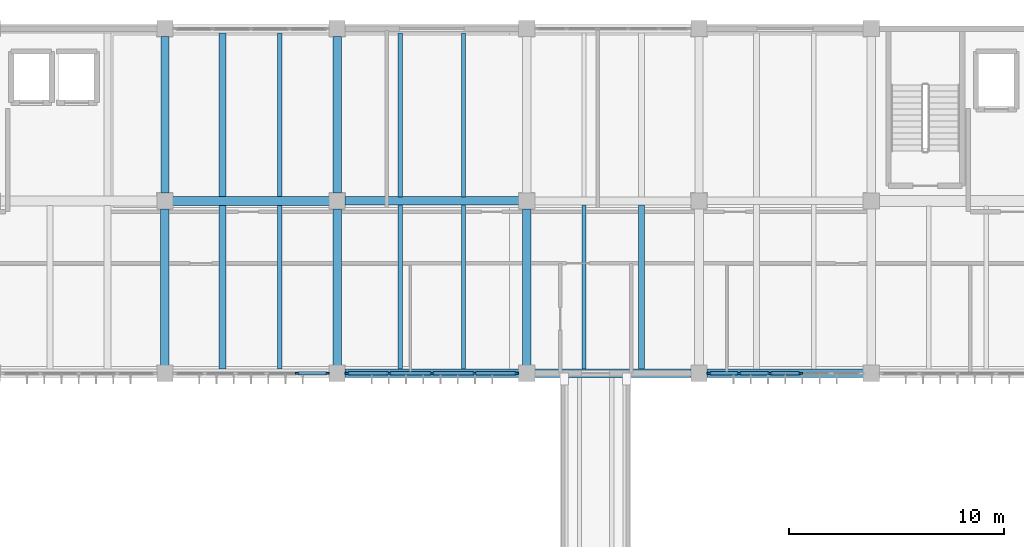
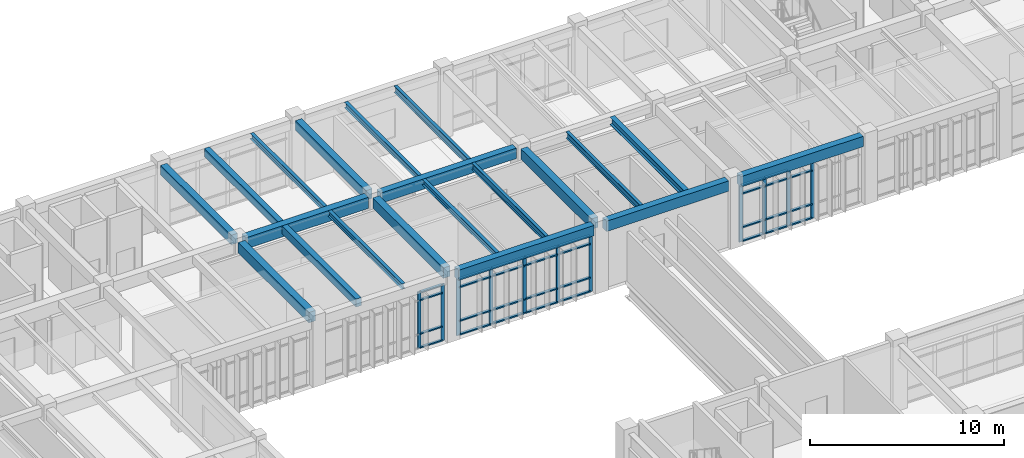
# One storey, part 22 of 79: 42 members, 20 beams, 3 elements without a shape of their own.
"""IFC4 building model written with IfcOpenShell, lengths in metres."""

from ifc_helpers import new_model, si_unit, direction, frame, origin, origin_2d, place, context, subcontext, project, spatial, rectangle, i_section, extrude, material, material_profile, profile_set, type_object, element, aggregate, save


model = new_model("IFC4")

# Units and contexts
model_context = context("Model", 3, precision=1e-05, world=origin(), true_north=direction((0.0, 1.0)))
body_context = subcontext(model_context, "Body", "Model", "MODEL_VIEW")
ifc_project = project(units=[si_unit("LENGTHUNIT", "METRE"), si_unit("AREAUNIT", "SQUARE_METRE"), si_unit("VOLUMEUNIT", "CUBIC_METRE"), si_unit("PLANEANGLEUNIT", "RADIAN"), si_unit("MASSUNIT", "GRAM", prefix="KILO")], contexts=[model_context])

# Site, building, storey
site_placement = place(None, origin())
site = spatial("IfcSite", under=ifc_project, at=site_placement, CompositionType="ELEMENT")
building_placement = place(site_placement, origin())
building = spatial("IfcBuilding", under=site, at=building_placement, Name="Tlaxcora Railside Police Headquarters", CompositionType="ELEMENT")
storey_placement = place(building_placement, frame((0.0, 0.0, 9.0)))
storey = spatial("IfcBuildingStorey", under=building, at=storey_placement, Name="L02", CompositionType="ELEMENT", Elevation=9.0)

# Curtain wall, members
ifc_material_1 = material(Name="Thermally broken low-E insulated glazing", Category="glass")
curtain_wall_type_1 = type_object("IfcCurtainWallType", Name="Unitised Curtain Wall Assembly CW-23", PredefinedType="NOTDEFINED", material=ifc_material_1)
curtain_wall_1_placement = place(storey_placement, origin())
curtain_wall_1 = element("IfcCurtainWall", 1, at=curtain_wall_1_placement, inside=storey, type_object=curtain_wall_type_1, Name="V5 L02 curtain wall 56", PredefinedType="NOTDEFINED")
ifc_material_2 = material(Name="Anodised aluminium framing", Category="aluminium")
ifc_material_profile_1 = material_profile(ifc_material_2, rectangle(XDim=0.080078125, YDim=0.219970703125, at=origin_2d()), Name="AL80X220")
ifc_profile_set_1 = profile_set([ifc_material_profile_1], Name="Anodised aluminium framing")
member_type_1 = type_object("IfcMemberType", Name="Curtain Wall Mullion CW-31", PredefinedType="MULLION", material=ifc_profile_set_1)
member_1_placement = place(storey_placement, frame((62.465087890625, 76.800048828125, 0.0), z_axis=(0.0, 0.0, 1.0), x_axis=(0.0, 1.0, 0.0)))
member_1 = element("IfcMember", 2, at=member_1_placement, type_object=member_type_1, Name="CW mullion 1", PredefinedType="MULLION", context=body_context, shape_type="SweptSolid", body=[
    extrude(rectangle(XDim=0.080078125, YDim=0.219970703125, at=origin_2d()), origin(), (0.0, 0.0, 1.0), 3.550048828125),
])
member_2_placement = place(storey_placement, frame((63.85498046875, 76.800048828125, 0.0), z_axis=(0.0, 0.0, 1.0), x_axis=(0.0, 1.0, 0.0)))
member_2 = element("IfcMember", 3, at=member_2_placement, type_object=member_type_1, Name="CW mullion 2", PredefinedType="MULLION", context=body_context, shape_type="SweptSolid", body=[
    extrude(rectangle(XDim=0.080078125, YDim=0.219970703125, at=origin_2d()), origin(), (0.0, 0.0, 1.0), 3.550048828125),
])
member_3_placement = place(storey_placement, frame((65.284912109375, 76.800048828125, 0.0), z_axis=(0.0, 0.0, 1.0), x_axis=(0.0, 1.0, 0.0)))
member_3 = element("IfcMember", 4, at=member_3_placement, type_object=member_type_1, Name="CW mullion 3", PredefinedType="MULLION", context=body_context, shape_type="SweptSolid", body=[
    extrude(rectangle(XDim=0.080078125, YDim=0.219970703125, at=origin_2d()), origin(), (0.0, 0.0, 1.0), 3.550048828125),
])
member_4_placement = place(storey_placement, frame((66.715087890625, 76.800048828125, 0.0), z_axis=(0.0, 0.0, 1.0), x_axis=(0.0, 1.0, 0.0)))
member_4 = element("IfcMember", 5, at=member_4_placement, type_object=member_type_1, Name="CW mullion 4", PredefinedType="MULLION", context=body_context, shape_type="SweptSolid", body=[
    extrude(rectangle(XDim=0.080078125, YDim=0.219970703125, at=origin_2d()), origin(), (0.0, 0.0, 1.0), 3.550048828125),
])

curtain_wall_type_2 = type_object("IfcCurtainWallType", Name="Unitised Curtain Wall Assembly CW-15", PredefinedType="NOTDEFINED", material=ifc_material_1)
curtain_wall_2_placement = place(storey_placement, origin())
curtain_wall_2 = element("IfcCurtainWall", 6, at=curtain_wall_2_placement, inside=storey, type_object=curtain_wall_type_2, Name="V5 L02 curtain wall 54", PredefinedType="NOTDEFINED")
ifc_material_profile_2 = material_profile(ifc_material_2, rectangle(XDim=0.074951171875, YDim=0.199951171875, at=origin_2d()), Name="AL75X200")
ifc_profile_set_2 = profile_set([ifc_material_profile_2], Name="Anodised aluminium framing")
member_type_2 = type_object("IfcMemberType", Name="Curtain Wall Mullion CW-58", PredefinedType="MULLION", material=ifc_profile_set_2)
member_5_placement = place(storey_placement, frame((43.344970703125, 76.800048828125, 0.0), z_axis=(0.0, 0.0, 1.0), x_axis=(0.0, 1.0, 0.0)))
member_5 = element("IfcMember", 7, at=member_5_placement, type_object=member_type_2, Name="CW mullion 5", PredefinedType="MULLION", context=body_context, shape_type="SweptSolid", body=[
    extrude(rectangle(XDim=0.074951171875, YDim=0.199951171875, at=origin_2d()), origin(), (0.0, 0.0, 1.0), 3.550048828125),
])
member_6_placement = place(storey_placement, frame((44.737548828125, 76.800048828125, 0.0), z_axis=(0.0, 0.0, 1.0), x_axis=(0.0, 1.0, 0.0)))
member_6 = element("IfcMember", 8, at=member_6_placement, type_object=member_type_2, Name="CW mullion 6", PredefinedType="MULLION", context=body_context, shape_type="SweptSolid", body=[
    extrude(rectangle(XDim=0.074951171875, YDim=0.199951171875, at=origin_2d()), origin(), (0.0, 0.0, 1.0), 3.550048828125),
])

curtain_wall_type_3 = type_object("IfcCurtainWallType", Name="Unitised Curtain Wall Assembly CW-83", PredefinedType="NOTDEFINED", material=ifc_material_1)
curtain_wall_3_placement = place(storey_placement, origin())
curtain_wall_3 = element("IfcCurtainWall", 9, at=curtain_wall_3_placement, inside=storey, type_object=curtain_wall_type_3, Name="V5 L02 curtain wall 55", PredefinedType="NOTDEFINED")
ifc_material_profile_3 = material_profile(ifc_material_2, rectangle(XDim=0.080078125, YDim=0.2099609375, at=origin_2d()), Name="AL80X210")
ifc_profile_set_3 = profile_set([ifc_material_profile_3], Name="Anodised aluminium framing")
member_type_3 = type_object("IfcMemberType", Name="Curtain Wall Mullion CW-76", PredefinedType="MULLION", material=ifc_profile_set_3)
member_7_placement = place(storey_placement, frame((45.6650390625, 76.800048828125, 0.0), z_axis=(0.0, 0.0, 1.0), x_axis=(0.0, 1.0, 0.0)))
member_7 = element("IfcMember", 10, at=member_7_placement, type_object=member_type_3, Name="CW mullion 1", PredefinedType="MULLION", context=body_context, shape_type="SweptSolid", body=[
    extrude(rectangle(XDim=0.080078125, YDim=0.2099609375, at=origin_2d()), origin(), (0.0, 0.0, 1.0), 3.550048828125),
])
member_8_placement = place(storey_placement, frame((47.612548828125, 76.800048828125, 0.0), z_axis=(0.0, 0.0, 1.0), x_axis=(0.0, 1.0, 0.0)))
member_8 = element("IfcMember", 11, at=member_8_placement, type_object=member_type_3, Name="CW mullion 2", PredefinedType="MULLION", context=body_context, shape_type="SweptSolid", body=[
    extrude(rectangle(XDim=0.080078125, YDim=0.2099609375, at=origin_2d()), origin(), (0.0, 0.0, 1.0), 3.550048828125),
])
member_9_placement = place(storey_placement, frame((49.60009765625, 76.800048828125, 0.0), z_axis=(0.0, 0.0, 1.0), x_axis=(0.0, 1.0, 0.0)))
member_9 = element("IfcMember", 12, at=member_9_placement, type_object=member_type_3, Name="CW mullion 3", PredefinedType="MULLION", context=body_context, shape_type="SweptSolid", body=[
    extrude(rectangle(XDim=0.080078125, YDim=0.2099609375, at=origin_2d()), origin(), (0.0, 0.0, 1.0), 3.550048828125),
])
member_10_placement = place(storey_placement, frame((51.58740234375, 76.800048828125, 0.0), z_axis=(0.0, 0.0, 1.0), x_axis=(0.0, 1.0, 0.0)))
member_10 = element("IfcMember", 13, at=member_10_placement, type_object=member_type_3, Name="CW mullion 4", PredefinedType="MULLION", context=body_context, shape_type="SweptSolid", body=[
    extrude(rectangle(XDim=0.080078125, YDim=0.2099609375, at=origin_2d()), origin(), (0.0, 0.0, 1.0), 3.550048828125),
])
member_11_placement = place(storey_placement, frame((53.534912109375, 76.800048828125, 0.0), z_axis=(0.0, 0.0, 1.0), x_axis=(0.0, 1.0, 0.0)))
member_11 = element("IfcMember", 14, at=member_11_placement, type_object=member_type_3, Name="CW mullion 5", PredefinedType="MULLION", context=body_context, shape_type="SweptSolid", body=[
    extrude(rectangle(XDim=0.080078125, YDim=0.2099609375, at=origin_2d()), origin(), (0.0, 0.0, 1.0), 3.550048828125),
])

# Member
ifc_material_profile_4 = material_profile(ifc_material_2, rectangle(XDim=0.14990234375, YDim=0.074951171875, at=origin_2d()), Name="AL75X150")
ifc_profile_set_4 = profile_set([ifc_material_profile_4], Name="Anodised aluminium framing")
member_type_4 = type_object("IfcMemberType", Name="Curtain Wall Transom CW-28", PredefinedType="USERDEFINED", material=ifc_profile_set_4)
member_12_placement = place(storey_placement, frame((43.382568359375, 76.800048828125, 0.03759765625), z_axis=(1.0, 0.0, 0.0), x_axis=(0.0, 1.0, 0.0)))
member_12 = element("IfcMember", 15, at=member_12_placement, type_object=member_type_4, Name="CW transom 5.1", ObjectType="TRANSOM", PredefinedType="USERDEFINED", context=body_context, shape_type="SweptSolid", body=[
    extrude(rectangle(XDim=0.14990234375, YDim=0.074951171875, at=origin_2d()), origin(), (0.0, 0.0, 1.0), 1.3173828125),
])

member_13_placement = place(storey_placement, frame((43.382568359375, 76.800048828125, 0.89990234375), z_axis=(1.0, 0.0, 0.0), x_axis=(0.0, 1.0, 0.0)))
member_13 = element("IfcMember", 16, at=member_13_placement, type_object=member_type_4, Name="CW transom 5.2", ObjectType="TRANSOM", PredefinedType="USERDEFINED", context=body_context, shape_type="SweptSolid", body=[
    extrude(rectangle(XDim=0.14990234375, YDim=0.074951171875, at=origin_2d()), origin(), (0.0, 0.0, 1.0), 1.3173828125),
])

member_14_placement = place(storey_placement, frame((43.382568359375, 76.800048828125, 3.02001953125), z_axis=(1.0, 0.0, 0.0), x_axis=(0.0, 1.0, 0.0)))
member_14 = element("IfcMember", 17, at=member_14_placement, type_object=member_type_4, Name="CW transom 5.3", ObjectType="TRANSOM", PredefinedType="USERDEFINED", context=body_context, shape_type="SweptSolid", body=[
    extrude(rectangle(XDim=0.14990234375, YDim=0.074951171875, at=origin_2d()), origin(), (0.0, 0.0, 1.0), 1.3173828125),
])

member_15_placement = place(storey_placement, frame((43.382568359375, 76.800048828125, 3.512451171875), z_axis=(1.0, 0.0, 0.0), x_axis=(0.0, 1.0, 0.0)))
member_15 = element("IfcMember", 18, at=member_15_placement, type_object=member_type_4, Name="CW transom 5.4", ObjectType="TRANSOM", PredefinedType="USERDEFINED", context=body_context, shape_type="SweptSolid", body=[
    extrude(rectangle(XDim=0.14990234375, YDim=0.074951171875, at=origin_2d()), origin(), (0.0, 0.0, 1.0), 1.3173828125),
])

aggregate(curtain_wall_2, [member_5, member_6, member_12, member_13, member_14, member_15])

ifc_material_profile_5 = material_profile(ifc_material_2, rectangle(XDim=0.1650390625, YDim=0.080078125, at=origin_2d()), Name="AL80X165")
ifc_profile_set_5 = profile_set([ifc_material_profile_5], Name="Anodised aluminium framing")
member_type_5 = type_object("IfcMemberType", Name="Curtain Wall Transom CW-62", PredefinedType="USERDEFINED", material=ifc_profile_set_5)
member_16_placement = place(storey_placement, frame((62.5048828125, 76.800048828125, 0.0400390625), z_axis=(1.0, 0.0, 0.0), x_axis=(0.0, 1.0, 0.0)))
member_16 = element("IfcMember", 19, at=member_16_placement, type_object=member_type_5, Name="CW transom 1.1", ObjectType="TRANSOM", PredefinedType="USERDEFINED", context=body_context, shape_type="SweptSolid", body=[
    extrude(rectangle(XDim=0.1650390625, YDim=0.080078125, at=origin_2d()), origin(), (0.0, 0.0, 1.0), 1.31005859375),
])

member_17_placement = place(storey_placement, frame((62.5048828125, 76.800048828125, 0.89990234375), z_axis=(1.0, 0.0, 0.0), x_axis=(0.0, 1.0, 0.0)))
member_17 = element("IfcMember", 20, at=member_17_placement, type_object=member_type_5, Name="CW transom 1.2", ObjectType="TRANSOM", PredefinedType="USERDEFINED", context=body_context, shape_type="SweptSolid", body=[
    extrude(rectangle(XDim=0.1650390625, YDim=0.080078125, at=origin_2d()), origin(), (0.0, 0.0, 1.0), 1.31005859375),
])

member_18_placement = place(storey_placement, frame((62.5048828125, 76.800048828125, 3.02001953125), z_axis=(1.0, 0.0, 0.0), x_axis=(0.0, 1.0, 0.0)))
member_18 = element("IfcMember", 21, at=member_18_placement, type_object=member_type_5, Name="CW transom 1.3", ObjectType="TRANSOM", PredefinedType="USERDEFINED", context=body_context, shape_type="SweptSolid", body=[
    extrude(rectangle(XDim=0.1650390625, YDim=0.080078125, at=origin_2d()), origin(), (0.0, 0.0, 1.0), 1.31005859375),
])

member_19_placement = place(storey_placement, frame((62.5048828125, 76.800048828125, 3.510009765625), z_axis=(1.0, 0.0, 0.0), x_axis=(0.0, 1.0, 0.0)))
member_19 = element("IfcMember", 22, at=member_19_placement, type_object=member_type_5, Name="CW transom 1.4", ObjectType="TRANSOM", PredefinedType="USERDEFINED", context=body_context, shape_type="SweptSolid", body=[
    extrude(rectangle(XDim=0.1650390625, YDim=0.080078125, at=origin_2d()), origin(), (0.0, 0.0, 1.0), 1.31005859375),
])

member_20_placement = place(storey_placement, frame((63.89501953125, 76.800048828125, 0.0400390625), z_axis=(1.0, 0.0, 0.0), x_axis=(0.0, 1.0, 0.0)))
member_20 = element("IfcMember", 23, at=member_20_placement, type_object=member_type_5, Name="CW transom 2.1", ObjectType="TRANSOM", PredefinedType="USERDEFINED", context=body_context, shape_type="SweptSolid", body=[
    extrude(rectangle(XDim=0.1650390625, YDim=0.080078125, at=origin_2d()), origin(), (0.0, 0.0, 1.0), 1.35009765625),
])

member_21_placement = place(storey_placement, frame((63.89501953125, 76.800048828125, 0.89990234375), z_axis=(1.0, 0.0, 0.0), x_axis=(0.0, 1.0, 0.0)))
member_21 = element("IfcMember", 24, at=member_21_placement, type_object=member_type_5, Name="CW transom 2.2", ObjectType="TRANSOM", PredefinedType="USERDEFINED", context=body_context, shape_type="SweptSolid", body=[
    extrude(rectangle(XDim=0.1650390625, YDim=0.080078125, at=origin_2d()), origin(), (0.0, 0.0, 1.0), 1.35009765625),
])

member_22_placement = place(storey_placement, frame((63.89501953125, 76.800048828125, 3.02001953125), z_axis=(1.0, 0.0, 0.0), x_axis=(0.0, 1.0, 0.0)))
member_22 = element("IfcMember", 25, at=member_22_placement, type_object=member_type_5, Name="CW transom 2.3", ObjectType="TRANSOM", PredefinedType="USERDEFINED", context=body_context, shape_type="SweptSolid", body=[
    extrude(rectangle(XDim=0.1650390625, YDim=0.080078125, at=origin_2d()), origin(), (0.0, 0.0, 1.0), 1.35009765625),
])

member_23_placement = place(storey_placement, frame((63.89501953125, 76.800048828125, 3.510009765625), z_axis=(1.0, 0.0, 0.0), x_axis=(0.0, 1.0, 0.0)))
member_23 = element("IfcMember", 26, at=member_23_placement, type_object=member_type_5, Name="CW transom 2.4", ObjectType="TRANSOM", PredefinedType="USERDEFINED", context=body_context, shape_type="SweptSolid", body=[
    extrude(rectangle(XDim=0.1650390625, YDim=0.080078125, at=origin_2d()), origin(), (0.0, 0.0, 1.0), 1.35009765625),
])

member_24_placement = place(storey_placement, frame((65.324951171875, 76.800048828125, 0.0400390625), z_axis=(1.0, 0.0, 0.0), x_axis=(0.0, 1.0, 0.0)))
member_24 = element("IfcMember", 27, at=member_24_placement, type_object=member_type_5, Name="CW transom 3.1", ObjectType="TRANSOM", PredefinedType="USERDEFINED", context=body_context, shape_type="SweptSolid", body=[
    extrude(rectangle(XDim=0.1650390625, YDim=0.080078125, at=origin_2d()), origin(), (0.0, 0.0, 1.0), 1.35009765625),
])

member_25_placement = place(storey_placement, frame((65.324951171875, 76.800048828125, 0.89990234375), z_axis=(1.0, 0.0, 0.0), x_axis=(0.0, 1.0, 0.0)))
member_25 = element("IfcMember", 28, at=member_25_placement, type_object=member_type_5, Name="CW transom 3.2", ObjectType="TRANSOM", PredefinedType="USERDEFINED", context=body_context, shape_type="SweptSolid", body=[
    extrude(rectangle(XDim=0.1650390625, YDim=0.080078125, at=origin_2d()), origin(), (0.0, 0.0, 1.0), 1.35009765625),
])

member_26_placement = place(storey_placement, frame((65.324951171875, 76.800048828125, 3.02001953125), z_axis=(1.0, 0.0, 0.0), x_axis=(0.0, 1.0, 0.0)))
member_26 = element("IfcMember", 29, at=member_26_placement, type_object=member_type_5, Name="CW transom 3.3", ObjectType="TRANSOM", PredefinedType="USERDEFINED", context=body_context, shape_type="SweptSolid", body=[
    extrude(rectangle(XDim=0.1650390625, YDim=0.080078125, at=origin_2d()), origin(), (0.0, 0.0, 1.0), 1.35009765625),
])

aggregate(curtain_wall_1, [member_1, member_2, member_3, member_4, member_16, member_17, member_18, member_19, member_20, member_21, member_22, member_23, member_24, member_25, member_26])

ifc_material_profile_6 = material_profile(ifc_material_2, rectangle(XDim=0.159912109375, YDim=0.080078125, at=origin_2d()), Name="AL80X160")
ifc_profile_set_6 = profile_set([ifc_material_profile_6], Name="Anodised aluminium framing")
member_type_6 = type_object("IfcMemberType", Name="Curtain Wall Transom CW-82", PredefinedType="USERDEFINED", material=ifc_profile_set_6)
member_27_placement = place(storey_placement, frame((45.705078125, 76.800048828125, 0.0400390625), z_axis=(1.0, 0.0, 0.0), x_axis=(0.0, 1.0, 0.0)))
member_27 = element("IfcMember", 30, at=member_27_placement, type_object=member_type_6, Name="CW transom 1.1", ObjectType="TRANSOM", PredefinedType="USERDEFINED", context=body_context, shape_type="SweptSolid", body=[
    extrude(rectangle(XDim=0.159912109375, YDim=0.080078125, at=origin_2d()), origin(), (0.0, 0.0, 1.0), 1.867431640625),
])

member_28_placement = place(storey_placement, frame((45.705078125, 76.800048828125, 0.89990234375), z_axis=(1.0, 0.0, 0.0), x_axis=(0.0, 1.0, 0.0)))
member_28 = element("IfcMember", 31, at=member_28_placement, type_object=member_type_6, Name="CW transom 1.2", ObjectType="TRANSOM", PredefinedType="USERDEFINED", context=body_context, shape_type="SweptSolid", body=[
    extrude(rectangle(XDim=0.159912109375, YDim=0.080078125, at=origin_2d()), origin(), (0.0, 0.0, 1.0), 1.867431640625),
])

member_29_placement = place(storey_placement, frame((45.705078125, 76.800048828125, 3.02001953125), z_axis=(1.0, 0.0, 0.0), x_axis=(0.0, 1.0, 0.0)))
member_29 = element("IfcMember", 32, at=member_29_placement, type_object=member_type_6, Name="CW transom 1.3", ObjectType="TRANSOM", PredefinedType="USERDEFINED", context=body_context, shape_type="SweptSolid", body=[
    extrude(rectangle(XDim=0.159912109375, YDim=0.080078125, at=origin_2d()), origin(), (0.0, 0.0, 1.0), 1.867431640625),
])

member_30_placement = place(storey_placement, frame((45.705078125, 76.800048828125, 3.510009765625), z_axis=(1.0, 0.0, 0.0), x_axis=(0.0, 1.0, 0.0)))
member_30 = element("IfcMember", 33, at=member_30_placement, type_object=member_type_6, Name="CW transom 1.4", ObjectType="TRANSOM", PredefinedType="USERDEFINED", context=body_context, shape_type="SweptSolid", body=[
    extrude(rectangle(XDim=0.159912109375, YDim=0.080078125, at=origin_2d()), origin(), (0.0, 0.0, 1.0), 1.867431640625),
])

member_31_placement = place(storey_placement, frame((47.652587890625, 76.800048828125, 0.0400390625), z_axis=(1.0, 0.0, 0.0), x_axis=(0.0, 1.0, 0.0)))
member_31 = element("IfcMember", 34, at=member_31_placement, type_object=member_type_6, Name="CW transom 2.1", ObjectType="TRANSOM", PredefinedType="USERDEFINED", context=body_context, shape_type="SweptSolid", body=[
    extrude(rectangle(XDim=0.159912109375, YDim=0.080078125, at=origin_2d()), origin(), (0.0, 0.0, 1.0), 1.907470703125),
])

member_32_placement = place(storey_placement, frame((47.652587890625, 76.800048828125, 0.89990234375), z_axis=(1.0, 0.0, 0.0), x_axis=(0.0, 1.0, 0.0)))
member_32 = element("IfcMember", 35, at=member_32_placement, type_object=member_type_6, Name="CW transom 2.2", ObjectType="TRANSOM", PredefinedType="USERDEFINED", context=body_context, shape_type="SweptSolid", body=[
    extrude(rectangle(XDim=0.159912109375, YDim=0.080078125, at=origin_2d()), origin(), (0.0, 0.0, 1.0), 1.907470703125),
])

member_33_placement = place(storey_placement, frame((47.652587890625, 76.800048828125, 3.02001953125), z_axis=(1.0, 0.0, 0.0), x_axis=(0.0, 1.0, 0.0)))
member_33 = element("IfcMember", 36, at=member_33_placement, type_object=member_type_6, Name="CW transom 2.3", ObjectType="TRANSOM", PredefinedType="USERDEFINED", context=body_context, shape_type="SweptSolid", body=[
    extrude(rectangle(XDim=0.159912109375, YDim=0.080078125, at=origin_2d()), origin(), (0.0, 0.0, 1.0), 1.907470703125),
])

member_34_placement = place(storey_placement, frame((47.652587890625, 76.800048828125, 3.510009765625), z_axis=(1.0, 0.0, 0.0), x_axis=(0.0, 1.0, 0.0)))
member_34 = element("IfcMember", 37, at=member_34_placement, type_object=member_type_6, Name="CW transom 2.4", ObjectType="TRANSOM", PredefinedType="USERDEFINED", context=body_context, shape_type="SweptSolid", body=[
    extrude(rectangle(XDim=0.159912109375, YDim=0.080078125, at=origin_2d()), origin(), (0.0, 0.0, 1.0), 1.907470703125),
])

member_35_placement = place(storey_placement, frame((49.639892578125, 76.800048828125, 0.0400390625), z_axis=(1.0, 0.0, 0.0), x_axis=(0.0, 1.0, 0.0)))
member_35 = element("IfcMember", 38, at=member_35_placement, type_object=member_type_6, Name="CW transom 3.1", ObjectType="TRANSOM", PredefinedType="USERDEFINED", context=body_context, shape_type="SweptSolid", body=[
    extrude(rectangle(XDim=0.159912109375, YDim=0.080078125, at=origin_2d()), origin(), (0.0, 0.0, 1.0), 1.90771484375),
])

member_36_placement = place(storey_placement, frame((49.639892578125, 76.800048828125, 0.89990234375), z_axis=(1.0, 0.0, 0.0), x_axis=(0.0, 1.0, 0.0)))
member_36 = element("IfcMember", 39, at=member_36_placement, type_object=member_type_6, Name="CW transom 3.2", ObjectType="TRANSOM", PredefinedType="USERDEFINED", context=body_context, shape_type="SweptSolid", body=[
    extrude(rectangle(XDim=0.159912109375, YDim=0.080078125, at=origin_2d()), origin(), (0.0, 0.0, 1.0), 1.90771484375),
])

member_37_placement = place(storey_placement, frame((49.639892578125, 76.800048828125, 3.02001953125), z_axis=(1.0, 0.0, 0.0), x_axis=(0.0, 1.0, 0.0)))
member_37 = element("IfcMember", 40, at=member_37_placement, type_object=member_type_6, Name="CW transom 3.3", ObjectType="TRANSOM", PredefinedType="USERDEFINED", context=body_context, shape_type="SweptSolid", body=[
    extrude(rectangle(XDim=0.159912109375, YDim=0.080078125, at=origin_2d()), origin(), (0.0, 0.0, 1.0), 1.90771484375),
])

member_38_placement = place(storey_placement, frame((49.639892578125, 76.800048828125, 3.510009765625), z_axis=(1.0, 0.0, 0.0), x_axis=(0.0, 1.0, 0.0)))
member_38 = element("IfcMember", 41, at=member_38_placement, type_object=member_type_6, Name="CW transom 3.4", ObjectType="TRANSOM", PredefinedType="USERDEFINED", context=body_context, shape_type="SweptSolid", body=[
    extrude(rectangle(XDim=0.159912109375, YDim=0.080078125, at=origin_2d()), origin(), (0.0, 0.0, 1.0), 1.90771484375),
])

member_39_placement = place(storey_placement, frame((51.62744140625, 76.800048828125, 0.0400390625), z_axis=(1.0, 0.0, 0.0), x_axis=(0.0, 1.0, 0.0)))
member_39 = element("IfcMember", 42, at=member_39_placement, type_object=member_type_6, Name="CW transom 4.1", ObjectType="TRANSOM", PredefinedType="USERDEFINED", context=body_context, shape_type="SweptSolid", body=[
    extrude(rectangle(XDim=0.159912109375, YDim=0.080078125, at=origin_2d()), origin(), (0.0, 0.0, 1.0), 1.86767578125),
])

member_40_placement = place(storey_placement, frame((51.62744140625, 76.800048828125, 0.89990234375), z_axis=(1.0, 0.0, 0.0), x_axis=(0.0, 1.0, 0.0)))
member_40 = element("IfcMember", 43, at=member_40_placement, type_object=member_type_6, Name="CW transom 4.2", ObjectType="TRANSOM", PredefinedType="USERDEFINED", context=body_context, shape_type="SweptSolid", body=[
    extrude(rectangle(XDim=0.159912109375, YDim=0.080078125, at=origin_2d()), origin(), (0.0, 0.0, 1.0), 1.86767578125),
])

member_41_placement = place(storey_placement, frame((51.62744140625, 76.800048828125, 3.02001953125), z_axis=(1.0, 0.0, 0.0), x_axis=(0.0, 1.0, 0.0)))
member_41 = element("IfcMember", 44, at=member_41_placement, type_object=member_type_6, Name="CW transom 4.3", ObjectType="TRANSOM", PredefinedType="USERDEFINED", context=body_context, shape_type="SweptSolid", body=[
    extrude(rectangle(XDim=0.159912109375, YDim=0.080078125, at=origin_2d()), origin(), (0.0, 0.0, 1.0), 1.86767578125),
])

member_42_placement = place(storey_placement, frame((51.62744140625, 76.800048828125, 3.510009765625), z_axis=(1.0, 0.0, 0.0), x_axis=(0.0, 1.0, 0.0)))
member_42 = element("IfcMember", 45, at=member_42_placement, type_object=member_type_6, Name="CW transom 4.4", ObjectType="TRANSOM", PredefinedType="USERDEFINED", context=body_context, shape_type="SweptSolid", body=[
    extrude(rectangle(XDim=0.159912109375, YDim=0.080078125, at=origin_2d()), origin(), (0.0, 0.0, 1.0), 1.86767578125),
])

aggregate(curtain_wall_3, [member_7, member_8, member_9, member_10, member_11, member_27, member_28, member_29, member_30, member_31, member_32, member_33, member_34, member_35, member_36, member_37, member_38, member_39, member_40, member_41, member_42])

# Beams
ifc_material_3 = material(Name="Concrete C40/50", Category="concrete")
ifc_material_profile_7 = material_profile(ifc_material_3, rectangle(XDim=0.39990234375, YDim=0.64990234375, at=origin_2d()), Name="RC400X650")
ifc_profile_set_7 = profile_set([ifc_material_profile_7], Name="Concrete C40/50")
beam_type_1 = type_object("IfcBeamType", Name="Perimeter Spandrel Beam BM-46", PredefinedType="SPANDREL", material=ifc_profile_set_7)
beam_1_placement = place(storey_placement, frame((45.56494140625, 76.800048828125, 3.89501953125), z_axis=(1.0, 0.0, 0.0), x_axis=(0.0, 1.0, 0.0)))
element("IfcBeam", 46, at=beam_1_placement, inside=storey, type_object=beam_type_1, Name="V5 L02 X-girder Y=76.8", PredefinedType="SPANDREL", context=body_context, shape_type="SweptSolid", body=[
    extrude(rectangle(XDim=0.39990234375, YDim=0.64990234375, at=origin_2d()), origin(), (0.0, 0.0, 1.0), 8.070068359375),
])
for number, where, z_axis, x_axis, name in (
    (47, (54.364990234375, 76.800048828125, 3.89501953125), (1.0, 0.0, 0.0), (0.0, 1.0, 0.0), "V5 L02 X-girder Y=76.8"),
    (48, (62.364990234375, 76.800048828125, 3.89501953125), (1.0, 0.0, 0.0), (0.0, 1.0, 0.0), "V5 L02 X-girder Y=76.8"),
):
    element("IfcBeam", number, at=place(storey_placement, frame(where, z_axis=z_axis, x_axis=x_axis)), inside=storey, type_object=beam_type_1, Name=name, PredefinedType="SPANDREL", context=body_context, shape_type="SweptSolid", body=[
        extrude(rectangle(XDim=0.39990234375, YDim=0.64990234375, at=origin_2d()), origin(), (0.0, 0.0, 1.0), 7.27001953125),
    ])
ifc_material_profile_8 = material_profile(ifc_material_3, rectangle(XDim=0.3798828125, YDim=0.60009765625, at=origin_2d()), Name="RC380X600")
ifc_profile_set_8 = profile_set([ifc_material_profile_8], Name="Concrete C40/50")
beam_type_2 = type_object("IfcBeamType", Name="Primary Frame Girder BM-22", PredefinedType="BEAM", material=ifc_profile_set_8)
for number, where, z_axis, x_axis, name in (
    (49, (37.199951171875, 85.1650390625, 3.919921875), (0.0, 1.0, 0.0), (-1.0, 0.0, 0.0), "V5 L02 Y-girder X=37.2"),
    (50, (45.199951171875, 85.1650390625, 3.919921875), (0.0, 1.0, 0.0), (-1.0, 0.0, 0.0), "V5 L02 Y-girder X=45.2"),
):
    element("IfcBeam", number, at=place(storey_placement, frame(where, z_axis=z_axis, x_axis=x_axis)), inside=storey, type_object=beam_type_2, Name=name, PredefinedType="BEAM", context=body_context, shape_type="SweptSolid", body=[
        extrude(rectangle(XDim=0.3798828125, YDim=0.60009765625, at=origin_2d()), origin(), (0.0, 0.0, 1.0), 7.27001953125),
    ])
ifc_material_profile_9 = material_profile(ifc_material_3, rectangle(XDim=0.419921875, YDim=0.699951171875, at=origin_2d()), Name="RC420X700")
ifc_profile_set_9 = profile_set([ifc_material_profile_9], Name="Concrete C40/50")
beam_type_3 = type_object("IfcBeamType", Name="Primary Frame Girder BM-35", PredefinedType="BEAM", material=ifc_profile_set_9)
beam_2_placement = place(storey_placement, frame((37.56494140625, 84.800048828125, 3.8701171875), z_axis=(1.0, 0.0, 0.0), x_axis=(0.0, 1.0, 0.0)))
element("IfcBeam", 51, at=beam_2_placement, inside=storey, type_object=beam_type_3, Name="V5 L02 X-girder Y=84.8", PredefinedType="BEAM", context=body_context, shape_type="SweptSolid", body=[
    extrude(rectangle(XDim=0.419921875, YDim=0.699951171875, at=origin_2d()), origin(), (0.0, 0.0, 1.0), 7.27001953125),
])
ifc_material_profile_10 = material_profile(ifc_material_3, rectangle(XDim=0.39990234375, YDim=0.64990234375, at=origin_2d()), Name="RC400X650")
ifc_profile_set_10 = profile_set([ifc_material_profile_10], Name="Concrete C40/50")
beam_type_4 = type_object("IfcBeamType", Name="Primary Frame Girder BM-41", PredefinedType="BEAM", material=ifc_profile_set_10)
beam_3_placement = place(storey_placement, frame((45.56494140625, 84.800048828125, 3.89501953125), z_axis=(1.0, 0.0, 0.0), x_axis=(0.0, 1.0, 0.0)))
element("IfcBeam", 52, at=beam_3_placement, inside=storey, type_object=beam_type_4, Name="V5 L02 X-girder Y=84.8", PredefinedType="BEAM", context=body_context, shape_type="SweptSolid", body=[
    extrude(rectangle(XDim=0.39990234375, YDim=0.64990234375, at=origin_2d()), origin(), (0.0, 0.0, 1.0), 8.070068359375),
])
for number, where, z_axis, x_axis, name in (
    (53, (37.199951171875, 77.1650390625, 3.89501953125), (0.0, 1.0, 0.0), (-1.0, 0.0, 0.0), "V5 L02 Y-girder X=37.2"),
    (54, (45.199951171875, 77.1650390625, 3.89501953125), (0.0, 1.0, 0.0), (-1.0, 0.0, 0.0), "V5 L02 Y-girder X=45.2"),
    (55, (54.0, 77.1650390625, 3.89501953125), (0.0, 1.0, 0.0), (-1.0, 0.0, 0.0), "V5 L02 Y-girder X=54.0"),
):
    element("IfcBeam", number, at=place(storey_placement, frame(where, z_axis=z_axis, x_axis=x_axis)), inside=storey, type_object=beam_type_4, Name=name, PredefinedType="BEAM", context=body_context, shape_type="SweptSolid", body=[
        extrude(rectangle(XDim=0.39990234375, YDim=0.64990234375, at=origin_2d()), origin(), (0.0, 0.0, 1.0), 7.27001953125),
    ])
ifc_material_4 = material(Name="Steel ASTM A992 Grade 50", Category="steel")
ifc_material_profile_11 = material_profile(ifc_material_4, i_section(OverallWidth=0.280029296875, OverallDepth=0.4619140625, WebThickness=0.0107421875, FlangeThickness=0.017333984375, at=origin_2d()), Name="W18X76")
ifc_profile_set_11 = profile_set([ifc_material_profile_11], Name="Steel ASTM A992 Grade 50")
beam_type_5 = type_object("IfcBeamType", Name="Secondary Floor Joist BM-44", PredefinedType="JOIST", material=ifc_profile_set_11)
beam_4_placement = place(storey_placement, frame((59.333251953125, 76.991943359375, 3.989013671875), z_axis=(0.0, 1.0, 0.0), x_axis=(-1.0, 0.0, 0.0)))
element("IfcBeam", 56, at=beam_4_placement, inside=storey, type_object=beam_type_5, Name="V5 L02 floor joist X=59.33", PredefinedType="JOIST", context=body_context, shape_type="SweptSolid", body=[
    extrude(i_section(OverallWidth=0.280029296875, OverallDepth=0.4619140625, WebThickness=0.0107421875, FlangeThickness=0.017333984375, at=origin_2d()), origin(), (0.0, 0.0, 1.0), 7.6259765625),
])
ifc_material_profile_12 = material_profile(ifc_material_4, i_section(OverallWidth=0.2041015625, OverallDepth=0.35009765625, WebThickness=0.008544921875, FlangeThickness=0.01513671875, at=origin_2d()), Name="W14X48")
ifc_profile_set_12 = profile_set([ifc_material_profile_12], Name="Steel ASTM A992 Grade 50")
beam_type_6 = type_object("IfcBeamType", Name="Secondary Floor Joist BM-65", PredefinedType="JOIST", material=ifc_profile_set_12)
beam_5_placement = place(storey_placement, frame((42.533203125, 76.991943359375, 4.044921875), z_axis=(0.0, 1.0, 0.0), x_axis=(-1.0, 0.0, 0.0)))
element("IfcBeam", 57, at=beam_5_placement, inside=storey, type_object=beam_type_6, Name="V5 L02 floor joist X=42.53", PredefinedType="JOIST", context=body_context, shape_type="SweptSolid", body=[
    extrude(i_section(OverallWidth=0.2041015625, OverallDepth=0.35009765625, WebThickness=0.008544921875, FlangeThickness=0.01513671875, at=origin_2d()), origin(), (0.0, 0.0, 1.0), 7.60595703125),
])
beam_6_placement = place(storey_placement, frame((48.13330078125, 76.991943359375, 4.044921875), z_axis=(0.0, 1.0, 0.0), x_axis=(-1.0, 0.0, 0.0)))
element("IfcBeam", 58, at=beam_6_placement, inside=storey, type_object=beam_type_6, Name="V5 L02 floor joist X=48.13", PredefinedType="JOIST", context=body_context, shape_type="SweptSolid", body=[
    extrude(i_section(OverallWidth=0.2041015625, OverallDepth=0.35009765625, WebThickness=0.008544921875, FlangeThickness=0.01513671875, at=origin_2d()), origin(), (0.0, 0.0, 1.0), 7.615966796875),
])
beam_7_placement = place(storey_placement, frame((42.533203125, 85.001953125, 4.044921875), z_axis=(0.0, 1.0, 0.0), x_axis=(-1.0, 0.0, 0.0)))
element("IfcBeam", 59, at=beam_7_placement, inside=storey, type_object=beam_type_6, Name="V5 L02 floor joist X=42.53", PredefinedType="JOIST", context=body_context, shape_type="SweptSolid", body=[
    extrude(i_section(OverallWidth=0.2041015625, OverallDepth=0.35009765625, WebThickness=0.008544921875, FlangeThickness=0.01513671875, at=origin_2d()), origin(), (0.0, 0.0, 1.0), 7.60595703125),
])
beam_8_placement = place(storey_placement, frame((48.13330078125, 84.991943359375, 4.044921875), z_axis=(0.0, 1.0, 0.0), x_axis=(-1.0, 0.0, 0.0)))
element("IfcBeam", 60, at=beam_8_placement, inside=storey, type_object=beam_type_6, Name="V5 L02 floor joist X=48.13", PredefinedType="JOIST", context=body_context, shape_type="SweptSolid", body=[
    extrude(i_section(OverallWidth=0.2041015625, OverallDepth=0.35009765625, WebThickness=0.008544921875, FlangeThickness=0.01513671875, at=origin_2d()), origin(), (0.0, 0.0, 1.0), 7.615966796875),
])
ifc_material_profile_13 = material_profile(ifc_material_4, i_section(OverallWidth=0.180908203125, OverallDepth=0.4169921875, WebThickness=0.010009765625, FlangeThickness=0.018310546875, at=origin_2d()), Name="W16X57")
ifc_profile_set_13 = profile_set([ifc_material_profile_13], Name="Steel ASTM A992 Grade 50")
beam_type_7 = type_object("IfcBeamType", Name="Secondary Floor Joist BM-84", PredefinedType="JOIST", material=ifc_profile_set_13)
beam_9_placement = place(storey_placement, frame((51.066650390625, 76.991943359375, 4.011474609375), z_axis=(0.0, 1.0, 0.0), x_axis=(-1.0, 0.0, 0.0)))
element("IfcBeam", 61, at=beam_9_placement, inside=storey, type_object=beam_type_7, Name="V5 L02 floor joist X=51.07", PredefinedType="JOIST", context=body_context, shape_type="SweptSolid", body=[
    extrude(i_section(OverallWidth=0.180908203125, OverallDepth=0.4169921875, WebThickness=0.010009765625, FlangeThickness=0.018310546875, at=origin_2d()), origin(), (0.0, 0.0, 1.0), 7.615966796875),
])
beam_10_placement = place(storey_placement, frame((56.666748046875, 76.991943359375, 4.011474609375), z_axis=(0.0, 1.0, 0.0), x_axis=(-1.0, 0.0, 0.0)))
element("IfcBeam", 62, at=beam_10_placement, inside=storey, type_object=beam_type_7, Name="V5 L02 floor joist X=56.67", PredefinedType="JOIST", context=body_context, shape_type="SweptSolid", body=[
    extrude(i_section(OverallWidth=0.180908203125, OverallDepth=0.4169921875, WebThickness=0.010009765625, FlangeThickness=0.018310546875, at=origin_2d()), origin(), (0.0, 0.0, 1.0), 7.6259765625),
])
beam_11_placement = place(storey_placement, frame((51.066650390625, 84.991943359375, 4.011474609375), z_axis=(0.0, 1.0, 0.0), x_axis=(-1.0, 0.0, 0.0)))
element("IfcBeam", 63, at=beam_11_placement, inside=storey, type_object=beam_type_7, Name="V5 L02 floor joist X=51.07", PredefinedType="JOIST", context=body_context, shape_type="SweptSolid", body=[
    extrude(i_section(OverallWidth=0.180908203125, OverallDepth=0.4169921875, WebThickness=0.010009765625, FlangeThickness=0.018310546875, at=origin_2d()), origin(), (0.0, 0.0, 1.0), 7.615966796875),
])
ifc_material_5 = material(Name="Concrete C35/45", Category="concrete")
ifc_material_profile_14 = material_profile(ifc_material_5, rectangle(XDim=0.320068359375, YDim=0.5, at=origin_2d()), Name="RC320X500")
ifc_profile_set_14 = profile_set([ifc_material_profile_14], Name="Concrete C35/45")
beam_type_8 = type_object("IfcBeamType", Name="Secondary Floor Joist BM-88", PredefinedType="JOIST", material=ifc_profile_set_14)
for number, where, z_axis, x_axis, name in (
    (64, (39.86669921875, 76.991943359375, 3.969970703125), (0.0, 1.0, 0.0), (-1.0, 0.0, 0.0), "V5 L02 floor joist X=39.87"),
    (65, (39.86669921875, 85.001953125, 3.969970703125), (0.0, 1.0, 0.0), (-1.0, 0.0, 0.0), "V5 L02 floor joist X=39.87"),
):
    element("IfcBeam", number, at=place(storey_placement, frame(where, z_axis=z_axis, x_axis=x_axis)), inside=storey, type_object=beam_type_8, Name=name, PredefinedType="JOIST", context=body_context, shape_type="SweptSolid", body=[
        extrude(rectangle(XDim=0.320068359375, YDim=0.5, at=origin_2d()), origin(), (0.0, 0.0, 1.0), 7.60595703125),
    ])

save(model, "model.ifc")
